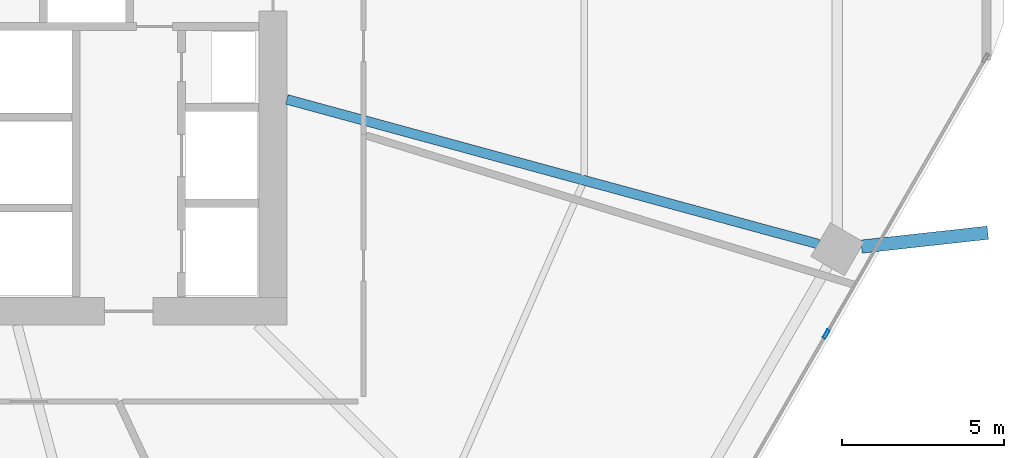
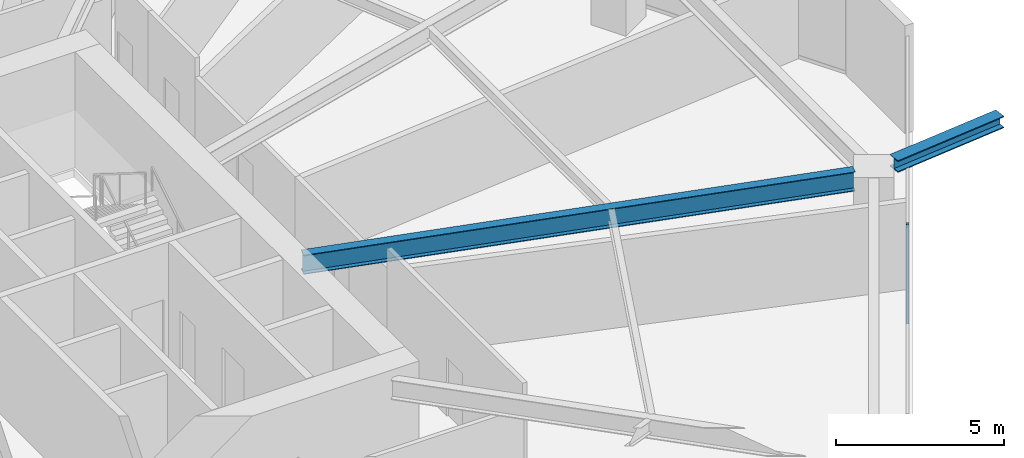
# One storey, part 11 of 25: 2 beams, 1 member, 1 element without a shape of its own.
"""IFC4 building model written with IfcOpenShell, lengths in metres."""

from ifc_helpers import new_model, si_unit, direction, frame, origin, origin_2d, place, context, subcontext, project, spatial, hollow_rectangle, i_section, extrude, material, material_profile, profile_set, type_object, element, aggregate, save


model = new_model("IFC4")

# Units and contexts
model_context = context("Model", 3, precision=1e-05, world=origin(), true_north=direction((0.0, 1.0)))
body_context = subcontext(model_context, "Body", "Model", "MODEL_VIEW")
ifc_project = project(units=[si_unit("LENGTHUNIT", "METRE"), si_unit("AREAUNIT", "SQUARE_METRE"), si_unit("VOLUMEUNIT", "CUBIC_METRE"), si_unit("PLANEANGLEUNIT", "RADIAN"), si_unit("MASSUNIT", "GRAM", prefix="KILO")], contexts=[model_context])

# Site, building, storey
site_placement = place(None, origin())
site = spatial("IfcSite", under=ifc_project, at=site_placement, CompositionType="ELEMENT")
building_placement = place(site_placement, origin())
building = spatial("IfcBuilding", under=site, at=building_placement, Name="Zuhravey Tower", CompositionType="ELEMENT")
storey_placement = place(building_placement, frame((0.0, 0.0, 54.0)))
storey = spatial("IfcBuildingStorey", under=building, at=storey_placement, Name="L13", CompositionType="ELEMENT", Elevation=54.0)

# Curtain wall, member
ifc_material_1 = material(Name="Thermally broken anodised aluminium", Category="aluminium")
curtain_wall_type = type_object("IfcCurtainWallType", Name="School Low-E Unitised Curtain Wall CW1", PredefinedType="NOTDEFINED", material=ifc_material_1)
curtain_wall_placement = place(storey_placement, origin())
curtain_wall = element("IfcCurtainWall", 1, at=curtain_wall_placement, inside=storey, type_object=curtain_wall_type, Name="L13 CW1 CW-L13-F6-1", PredefinedType="NOTDEFINED")
ifc_material_2 = material(Name="Anodised aluminium", Category="aluminium")
ifc_material_profile_1 = material_profile(ifc_material_2, hollow_rectangle(XDim=0.090087890625, YDim=0.284912109375, WallThickness=0.0048828125, at=origin_2d()), Name="ALU-RHS-90x285x5")
ifc_profile_set_1 = profile_set([ifc_material_profile_1], Name="Anodised aluminium")
member_type = type_object("IfcMemberType", Name="Curtain-Wall Mullion 90x180", PredefinedType="MULLION", material=ifc_profile_set_1)
member_placement = place(storey_placement, frame((63.54541015625, 21.79296875, 0.0), z_axis=(0.0, 0.0, 1.0), x_axis=(0.86602552265, -0.499999794119, 0.0)))
member = element("IfcMember", 2, at=member_placement, type_object=member_type, Name="CW1 mullion 2", PredefinedType="MULLION", context=body_context, shape_type="SweptSolid", body=[
    extrude(hollow_rectangle(XDim=0.090087890625, YDim=0.284912109375, WallThickness=0.0048828125, at=origin_2d()), origin(), (0.0, 0.0, 1.0), 3.491943359375),
])
aggregate(curtain_wall, [member])

# Beams
ifc_material_3 = material(Name="Steel SM460", Category="steel")
ifc_material_profile_2 = material_profile(ifc_material_3, i_section(OverallWidth=0.406982421875, OverallDepth=0.427978515625, WebThickness=0.02001953125, FlangeThickness=0.034912109375, at=origin_2d()), Name="H-428x407x20x35")
ifc_profile_set_2 = profile_set([ifc_material_profile_2], Name="Steel SM460")
beam_type_1 = type_object("IfcBeamType", Name="Exoskeleton Node Tie Beam H428x407", PredefinedType="BEAM", material=ifc_profile_set_2)
beam_1_placement = place(storey_placement, frame((64.6328125, 24.490234375, 3.7060546875), z_axis=(0.994007881498, 0.109308423825, 0.0), x_axis=(-0.109308423825, 0.994007881498, 0.0)))
element("IfcBeam", 3, at=beam_1_placement, inside=storey, type_object=beam_type_1, Name="L13 Exoskeleton Node Tie NT1-12", PredefinedType="BEAM", context=body_context, shape_type="SweptSolid", body=[
    extrude(i_section(OverallWidth=0.406982421875, OverallDepth=0.427978515625, WebThickness=0.02001953125, FlangeThickness=0.034912109375, at=origin_2d()), origin(), (0.0, 0.0, 1.0), 3.9130859375),
])
ifc_material_4 = material(Name="Steel SM355", Category="steel")
ifc_material_profile_3 = material_profile(ifc_material_4, i_section(OverallWidth=0.300048828125, OverallDepth=0.699951171875, WebThickness=0.012939453125, FlangeThickness=0.02392578125, at=origin_2d()), Name="H-700x300x13x24")
ifc_profile_set_3 = profile_set([ifc_material_profile_3], Name="Steel SM355")
beam_type_2 = type_object("IfcBeamType", Name="Radial Primary Girder H700x300", PredefinedType="BEAM", material=ifc_profile_set_3)
beam_2_placement = place(storey_placement, frame((46.927978515625, 29.025390625, 3.570068359375), z_axis=(0.964892480455, -0.26264520015, 0.0), x_axis=(0.26264520015, 0.964892480455, 0.0)))
element("IfcBeam", 4, at=beam_2_placement, inside=storey, type_object=beam_type_2, Name="L13 RG1 BM-L13-RAD-12", PredefinedType="BEAM", context=body_context, shape_type="SweptSolid", body=[
    extrude(i_section(OverallWidth=0.300048828125, OverallDepth=0.699951171875, WebThickness=0.012939453125, FlangeThickness=0.02392578125, at=origin_2d()), origin(), (0.0, 0.0, 1.0), 16.975341796875),
])

save(model, "model.ifc")
